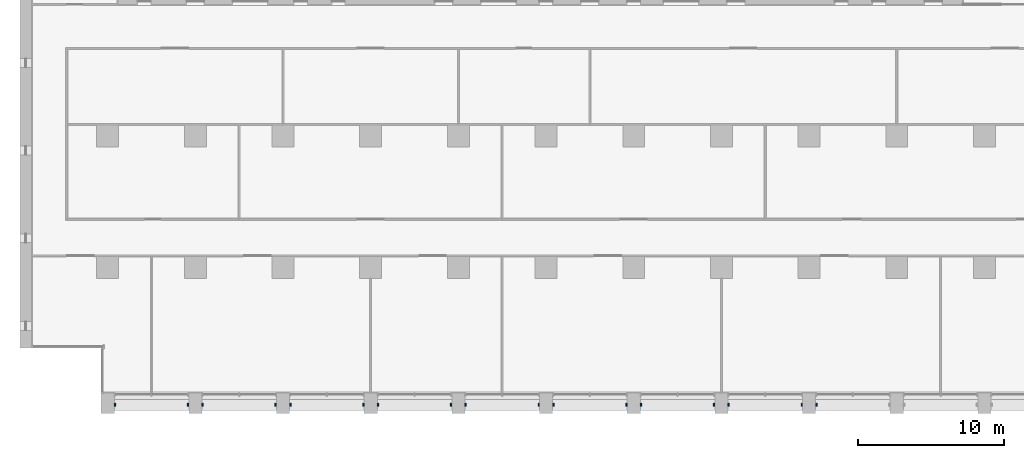
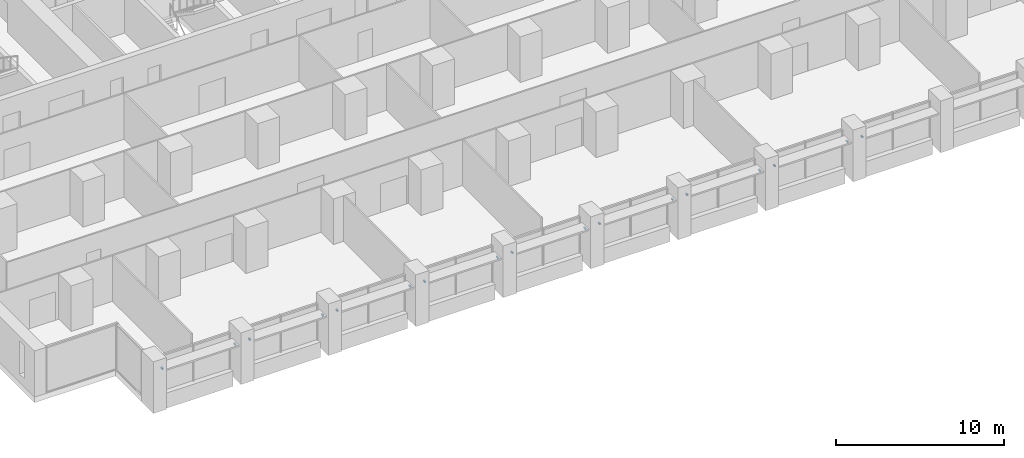
# One storey, part 15 of 18: 17 discrete accessories.
"""IFC4 building model written with IfcOpenShell, lengths in metres."""

from ifc_helpers import new_model, si_unit, direction, frame, origin, origin_2d, place, context, subcontext, project, spatial, rectangle, extrude, element, save


model = new_model("IFC4")

# Units and contexts
model_context = context("Model", 3, precision=1e-05, world=origin(), true_north=direction((0.0, 1.0)))
body_context = subcontext(model_context, "Body", "Model", "MODEL_VIEW")
ifc_project = project(units=[si_unit("LENGTHUNIT", "METRE"), si_unit("AREAUNIT", "SQUARE_METRE"), si_unit("VOLUMEUNIT", "CUBIC_METRE"), si_unit("PLANEANGLEUNIT", "RADIAN"), si_unit("MASSUNIT", "GRAM", prefix="KILO")], contexts=[model_context])

# Site, building, storey
site_placement = place(None, origin())
site = spatial("IfcSite", under=ifc_project, at=site_placement, CompositionType="ELEMENT")
building_placement = place(site_placement, origin())
building = spatial("IfcBuilding", under=site, at=building_placement, Name="Calvaro Tower", CompositionType="ELEMENT")
storey_placement = place(building_placement, frame((0.0, 0.0, 82.5)))
storey = spatial("IfcBuildingStorey", under=building, at=storey_placement, Name="L20", CompositionType="ELEMENT", Elevation=82.5)

# Discrete accessories
for number, where, z_axis, x_axis, name in (
    (1, (6.5, 0.60009765625, 2.14990234375), (0.0, 0.0, 1.0), (1.0, 0.0, 0.0), "Brise-soleil bracket"),
    (2, (11.5, 0.60009765625, 2.14990234375), (0.0, 0.0, 1.0), (1.0, 0.0, 0.0), "Brise-soleil bracket"),
    (3, (12.5, 0.60009765625, 2.14990234375), (0.0, 0.0, 1.0), (1.0, 0.0, 0.0), "Brise-soleil bracket"),
    (4, (17.5, 0.60009765625, 2.14990234375), (0.0, 0.0, 1.0), (1.0, 0.0, 0.0), "Brise-soleil bracket"),
    (5, (18.5, 0.60009765625, 2.14990234375), (0.0, 0.0, 1.0), (1.0, 0.0, 0.0), "Brise-soleil bracket"),
    (6, (23.5, 0.60009765625, 2.14990234375), (0.0, 0.0, 1.0), (1.0, 0.0, 0.0), "Brise-soleil bracket"),
    (7, (24.5, 0.60009765625, 2.14990234375), (0.0, 0.0, 1.0), (1.0, 0.0, 0.0), "Brise-soleil bracket"),
    (8, (29.5, 0.60009765625, 2.14990234375), (0.0, 0.0, 1.0), (1.0, 0.0, 0.0), "Brise-soleil bracket"),
    (9, (30.5, 0.60009765625, 2.14990234375), (0.0, 0.0, 1.0), (1.0, 0.0, 0.0), "Brise-soleil bracket"),
    (10, (35.5, 0.60009765625, 2.14990234375), (0.0, 0.0, 1.0), (1.0, 0.0, 0.0), "Brise-soleil bracket"),
    (11, (36.5, 0.60009765625, 2.14990234375), (0.0, 0.0, 1.0), (1.0, 0.0, 0.0), "Brise-soleil bracket"),
    (12, (41.5, 0.60009765625, 2.14990234375), (0.0, 0.0, 1.0), (1.0, 0.0, 0.0), "Brise-soleil bracket"),
    (13, (42.5, 0.60009765625, 2.14990234375), (0.0, 0.0, 1.0), (1.0, 0.0, 0.0), "Brise-soleil bracket"),
    (14, (47.5, 0.60009765625, 2.14990234375), (0.0, 0.0, 1.0), (1.0, 0.0, 0.0), "Brise-soleil bracket"),
    (15, (48.5, 0.60009765625, 2.14990234375), (0.0, 0.0, 1.0), (1.0, 0.0, 0.0), "Brise-soleil bracket"),
    (16, (53.5, 0.60009765625, 2.14990234375), (0.0, 0.0, 1.0), (1.0, 0.0, 0.0), "Brise-soleil bracket"),
    (17, (54.5, 0.60009765625, 2.14990234375), (0.0, 0.0, 1.0), (1.0, 0.0, 0.0), "Brise-soleil bracket"),
):
    element("IfcDiscreteAccessory", number, at=place(storey_placement, frame(where, z_axis=z_axis, x_axis=x_axis)), inside=storey, Name=name, PredefinedType="BRACKET", context=body_context, shape_type="SweptSolid", body=[
        extrude(rectangle(XDim=0.10009765625, YDim=0.199951171875, at=origin_2d()), origin(), (0.0, 0.0, 1.0), 0.10009765625),
    ])

save(model, "model.ifc")
